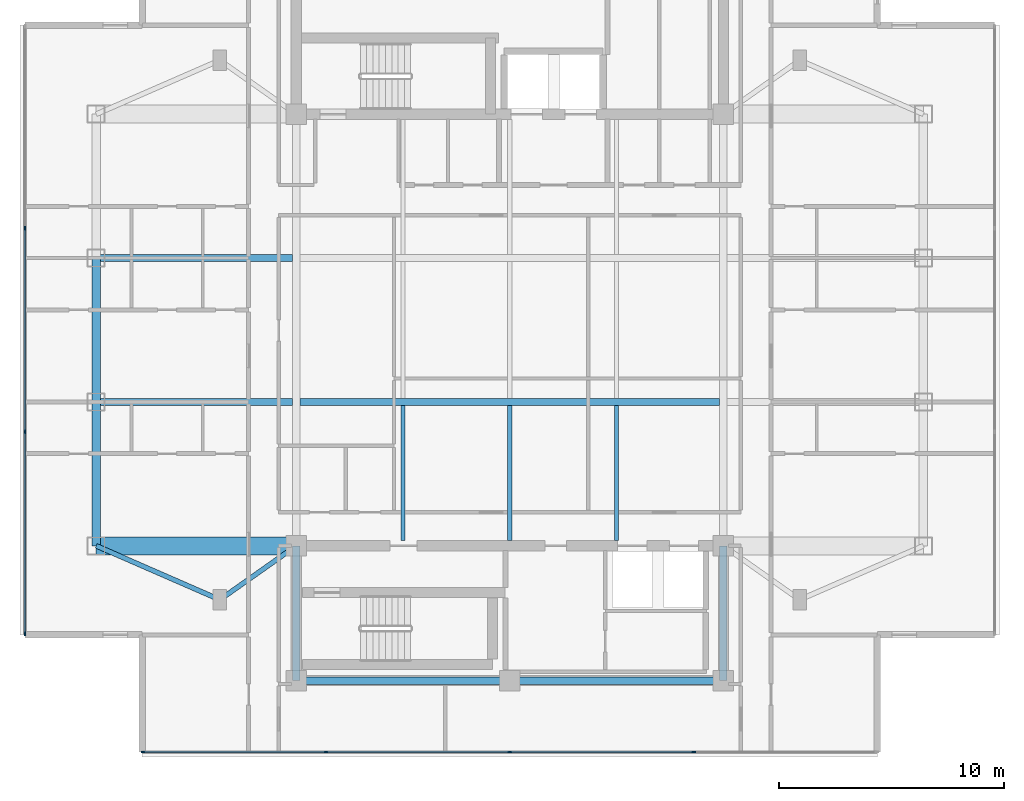
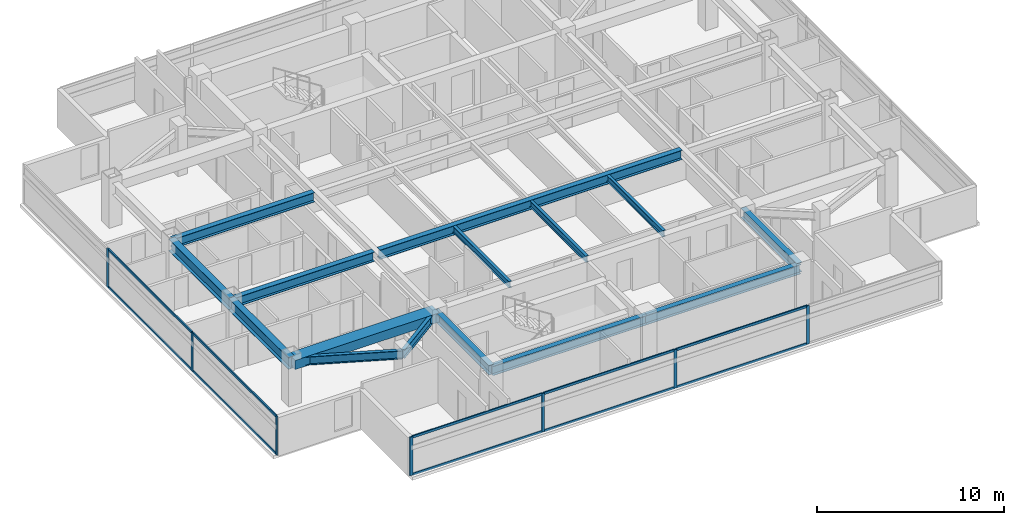
# One storey, part 2 of 17: 17 members, 15 beams, 2 elements without a shape of their own.
"""IFC4 building model written with IfcOpenShell, lengths in metres."""

from ifc_helpers import new_model, si_unit, direction, frame, origin, origin_2d, place, context, subcontext, project, spatial, rectangle, i_section, extrude, material, material_profile, profile_set, type_object, element, aggregate, save


model = new_model("IFC4")

# Units and contexts
model_context = context("Model", 3, precision=1e-05, world=origin(), true_north=direction((0.0, 1.0)))
body_context = subcontext(model_context, "Body", "Model", "MODEL_VIEW")
ifc_project = project(units=[si_unit("LENGTHUNIT", "METRE"), si_unit("AREAUNIT", "SQUARE_METRE"), si_unit("VOLUMEUNIT", "CUBIC_METRE"), si_unit("PLANEANGLEUNIT", "RADIAN"), si_unit("MASSUNIT", "GRAM", prefix="KILO")], contexts=[model_context])

# Site, building, storey
site_placement = place(None, origin())
site = spatial("IfcSite", under=ifc_project, at=site_placement, CompositionType="ELEMENT")
building_placement = place(site_placement, origin())
building = spatial("IfcBuilding", under=site, at=building_placement, Name="Mirazonda Arch Towers", CompositionType="ELEMENT")
storey_placement = place(building_placement, frame((0.0, 0.0, 209.64990234375)))
storey = spatial("IfcBuildingStorey", under=building, at=storey_placement, Name="L60", CompositionType="ELEMENT", Elevation=209.64990234375)

# Beams
ifc_material_1 = material(Name="Steel ASTM A992 Grade 50", Category="steel")
ifc_material_profile_1 = material_profile(ifc_material_1, i_section(OverallWidth=0.381103515625, OverallDepth=0.77294921875, WebThickness=0.0166015625, FlangeThickness=0.027099609375, at=origin_2d()), Name="W30X173")
ifc_profile_set_1 = profile_set([ifc_material_profile_1], Name="Steel ASTM A992 Grade 50")
beam_type_1 = type_object("IfcBeamType", Name="BM-EXT-W30X173", PredefinedType="USERDEFINED", material=ifc_profile_set_1)
beam_1_placement = place(storey_placement, frame((2.10009765625, 18.39990234375, 2.503662109375), z_axis=(0.0, 1.0, 0.0), x_axis=(-1.0, 0.0, 0.0)))
element("IfcBeam", 1, at=beam_1_placement, inside=storey, type_object=beam_type_1, Name="L60 Floor Beam BMT-T1-L60-NS-W-18", ObjectType="GIRDER", PredefinedType="USERDEFINED", context=body_context, shape_type="SweptSolid", body=[
    extrude(i_section(OverallWidth=0.381103515625, OverallDepth=0.77294921875, WebThickness=0.0166015625, FlangeThickness=0.027099609375, at=origin_2d()), origin(), (0.0, 0.0, 1.0), 6.400146484375),
])
beam_2_placement = place(storey_placement, frame((2.10009765625, 24.800048828125, 2.503662109375), z_axis=(0.0, 1.0, 0.0), x_axis=(-1.0, 0.0, 0.0)))
element("IfcBeam", 2, at=beam_2_placement, inside=storey, type_object=beam_type_1, Name="L60 Floor Beam BMT-T1-L60-NS-W-24", ObjectType="GIRDER", PredefinedType="USERDEFINED", context=body_context, shape_type="SweptSolid", body=[
    extrude(i_section(OverallWidth=0.381103515625, OverallDepth=0.77294921875, WebThickness=0.0166015625, FlangeThickness=0.027099609375, at=origin_2d()), origin(), (0.0, 0.0, 1.0), 6.39990234375),
])
ifc_material_profile_2 = material_profile(ifc_material_1, i_section(OverallWidth=0.180908203125, OverallDepth=0.4169921875, WebThickness=0.010986328125, FlangeThickness=0.018310546875, at=origin_2d()), Name="W16X57")
ifc_profile_set_2 = profile_set([ifc_material_profile_2], Name="Steel ASTM A992 Grade 50")
beam_type_2 = type_object("IfcBeamType", Name="BM-INT-W16X57", PredefinedType="JOIST", material=ifc_profile_set_2)
for number, where, z_axis, x_axis, name in (
    (3, (15.75, 18.639892578125, 2.681640625), (0.0, 1.0, 0.0), (-1.0, 0.0, 0.0), "L60 Floor Beam BMT-T1-L60-J-157-18"),
    (4, (20.5, 18.639892578125, 2.681640625), (0.0, 1.0, 0.0), (-1.0, 0.0, 0.0), "L60 Floor Beam BMT-T1-L60-J-205-18"),
    (5, (25.25, 18.639892578125, 2.681640625), (0.0, 1.0, 0.0), (-1.0, 0.0, 0.0), "L60 Floor Beam BMT-T1-L60-J-252-18"),
):
    element("IfcBeam", number, at=place(storey_placement, frame(where, z_axis=z_axis, x_axis=x_axis)), inside=storey, type_object=beam_type_2, Name=name, PredefinedType="JOIST", context=body_context, shape_type="SweptSolid", body=[
        extrude(i_section(OverallWidth=0.180908203125, OverallDepth=0.4169921875, WebThickness=0.010986328125, FlangeThickness=0.018310546875, at=origin_2d()), origin(), (0.0, 0.0, 1.0), 6.001708984375),
    ])
ifc_material_profile_3 = material_profile(ifc_material_1, i_section(OverallWidth=0.214111328125, OverallDepth=0.549072265625, WebThickness=0.0146484375, FlangeThickness=0.023681640625, at=origin_2d()), Name="W21X93")
ifc_profile_set_3 = profile_set([ifc_material_profile_3], Name="Steel ASTM A992 Grade 50")
beam_type_3 = type_object("IfcBeamType", Name="BM-INT-W21X93", PredefinedType="BEAM", material=ifc_profile_set_3)
beam_3_placement = place(storey_placement, frame((7.60009765625, 16.0, 2.615478515625), z_axis=(0.816971114901, 0.576678591087, 0.0), x_axis=(-0.576678591087, 0.816971114901, 0.0)))
element("IfcBeam", 6, at=beam_3_placement, inside=storey, type_object=beam_type_3, Name="L60 Floor Beam BMT-T1-L60-PL-SW1", PredefinedType="BEAM", context=body_context, shape_type="SweptSolid", body=[
    extrude(i_section(OverallWidth=0.214111328125, OverallDepth=0.549072265625, WebThickness=0.0146484375, FlangeThickness=0.023681640625, at=origin_2d()), origin(), (0.0, 0.0, 1.0), 4.16162109375),
])
beam_4_placement = place(storey_placement, frame((7.60009765625, 16.0, 2.615478515625), z_axis=(-0.916545343703, 0.399930785183, 0.0), x_axis=(-0.399930785183, -0.916545343703, 0.0)))
element("IfcBeam", 7, at=beam_4_placement, inside=storey, type_object=beam_type_3, Name="L60 Floor Beam BMT-T1-L60-PL-SW2", PredefinedType="BEAM", context=body_context, shape_type="SweptSolid", body=[
    extrude(i_section(OverallWidth=0.214111328125, OverallDepth=0.549072265625, WebThickness=0.0146484375, FlangeThickness=0.023681640625, at=origin_2d()), origin(), (0.0, 0.0, 1.0), 6.000732421875),
])
ifc_material_profile_4 = material_profile(ifc_material_1, i_section(OverallWidth=0.324951171875, OverallDepth=0.615966796875, WebThickness=0.013916015625, FlangeThickness=0.021484375, at=origin_2d()), Name="W24X117")
ifc_profile_set_4 = profile_set([ifc_material_profile_4], Name="Steel ASTM A992 Grade 50")
beam_type_4 = type_object("IfcBeamType", Name="BM-INT-W24X117", PredefinedType="BEAM", material=ifc_profile_set_4)
beam_5_placement = place(storey_placement, frame((11.16259765625, 24.800048828125, 2.58203125), z_axis=(1.0, 0.0, 0.0), x_axis=(0.0, 1.0, 0.0)))
element("IfcBeam", 8, at=beam_5_placement, inside=storey, type_object=beam_type_4, Name="L60 Floor Beam BMT-T1-L60-GC2", PredefinedType="BEAM", context=body_context, shape_type="SweptSolid", body=[
    extrude(i_section(OverallWidth=0.324951171875, OverallDepth=0.615966796875, WebThickness=0.013916015625, FlangeThickness=0.021484375, at=origin_2d()), origin(), (0.0, 0.0, 1.0), 18.6748046875),
])
for number, where, z_axis, x_axis, name in (
    (9, (2.10009765625, 24.800048828125, 2.58203125), (1.0, 0.0, 0.0), (0.0, 1.0, 0.0), "L60 Floor Beam BMT-T1-L60-GW2"),
    (10, (2.10009765625, 31.199951171875, 2.58203125), (1.0, 0.0, 0.0), (0.0, 1.0, 0.0), "L60 Floor Beam BMT-T1-L60-GW3"),
):
    element("IfcBeam", number, at=place(storey_placement, frame(where, z_axis=z_axis, x_axis=x_axis)), inside=storey, type_object=beam_type_4, Name=name, PredefinedType="BEAM", context=body_context, shape_type="SweptSolid", body=[
        extrude(i_section(OverallWidth=0.324951171875, OverallDepth=0.615966796875, WebThickness=0.013916015625, FlangeThickness=0.021484375, at=origin_2d()), origin(), (0.0, 0.0, 1.0), 8.7373046875),
    ])
for number, where, z_axis, x_axis, name in (
    (11, (11.0, 12.39990234375, 2.58203125), (1.0, 0.0, 0.0), (0.0, 1.0, 0.0), "L60 Floor Beam BMT-T1-L60-CS1"),
    (12, (20.5, 12.39990234375, 2.58203125), (1.0, 0.0, 0.0), (0.0, 1.0, 0.0), "L60 Floor Beam BMT-T1-L60-CS2"),
):
    element("IfcBeam", number, at=place(storey_placement, frame(where, z_axis=z_axis, x_axis=x_axis)), inside=storey, type_object=beam_type_4, Name=name, PredefinedType="BEAM", context=body_context, shape_type="SweptSolid", body=[
        extrude(i_section(OverallWidth=0.324951171875, OverallDepth=0.615966796875, WebThickness=0.013916015625, FlangeThickness=0.021484375, at=origin_2d()), origin(), (0.0, 0.0, 1.0), 9.5),
    ])
for number, where, z_axis, x_axis, name in (
    (13, (11.0, 12.39990234375, 2.58203125), (0.0, 1.0, 0.0), (-1.0, 0.0, 0.0), "L60 Floor Beam BMT-T1-L60-CSW"),
    (14, (30.0, 12.39990234375, 2.58203125), (0.0, 1.0, 0.0), (-1.0, 0.0, 0.0), "L60 Floor Beam BMT-T1-L60-CSE"),
):
    element("IfcBeam", number, at=place(storey_placement, frame(where, z_axis=z_axis, x_axis=x_axis)), inside=storey, type_object=beam_type_4, Name=name, PredefinedType="BEAM", context=body_context, shape_type="SweptSolid", body=[
        extrude(i_section(OverallWidth=0.324951171875, OverallDepth=0.615966796875, WebThickness=0.013916015625, FlangeThickness=0.021484375, at=origin_2d()), origin(), (0.0, 0.0, 1.0), 6.0),
    ])
ifc_material_2 = material(Name="Concrete C60/75", Category="concrete")
ifc_material_profile_5 = material_profile(ifc_material_2, rectangle(XDim=0.800048828125, YDim=0.60009765625, at=origin_2d()), Name="RCCB800x600")
ifc_profile_set_5 = profile_set([ifc_material_profile_5], Name="Concrete C60/75")
beam_type_5 = type_object("IfcBeamType", Name="CB-INT-RCCB800x600", PredefinedType="SPANDREL", material=ifc_profile_set_5)
beam_6_placement = place(storey_placement, frame((2.10009765625, 18.39990234375, 2.590087890625), z_axis=(1.0, 0.0, 0.0), x_axis=(0.0, 1.0, 0.0)))
element("IfcBeam", 15, at=beam_6_placement, inside=storey, type_object=beam_type_5, Name="L60 Floor Beam CBC-T1-L60-SW", PredefinedType="SPANDREL", context=body_context, shape_type="SweptSolid", body=[
    extrude(rectangle(XDim=0.800048828125, YDim=0.60009765625, at=origin_2d()), origin(), (0.0, 0.0, 1.0), 8.89990234375),
])

# Curtain wall, members
ifc_material_3 = material(Name="Anodised Aluminium and Low-E Glass", Category="aluminium")
curtain_wall_type = type_object("IfcCurtainWallType", Name="CW-RES-UNIT", PredefinedType="NOTDEFINED", material=ifc_material_3)
curtain_wall_1_placement = place(storey_placement, origin())
curtain_wall_1 = element("IfcCurtainWall", 16, at=curtain_wall_1_placement, inside=storey, type_object=curtain_wall_type, Name="L60 T1 S Facade CW-L60-T1-S", PredefinedType="NOTDEFINED")
ifc_material_4 = material(Name="Anodised Aluminium Alloy", Category="aluminium")
ifc_material_profile_6 = material_profile(ifc_material_4, rectangle(XDim=0.074951171875, YDim=0.175048828125, at=origin_2d()), Name="ALU-MULL-75x175")
ifc_profile_set_6 = profile_set([ifc_material_profile_6], Name="Anodised Aluminium Alloy")
member_type_1 = type_object("IfcMemberType", Name="MULL-CW-RES-UNIT", PredefinedType="MULLION", material=ifc_profile_set_6)
member_1_placement = place(storey_placement, frame((28.677490234375, 9.22607421875, 0.0), z_axis=(0.0, 0.0, 1.0), x_axis=(0.0, -1.0, 0.0)))
member_1 = element("IfcMember", 17, at=member_1_placement, type_object=member_type_1, Name="CW-104 mullion 2", PredefinedType="MULLION", context=body_context, shape_type="SweptSolid", body=[
    extrude(rectangle(XDim=0.074951171875, YDim=0.175048828125, at=origin_2d()), origin(), (0.0, 0.0, 1.0), 2.510009765625),
])
member_2_placement = place(storey_placement, frame((20.5, 9.22607421875, 0.0), z_axis=(0.0, 0.0, 1.0), x_axis=(0.0, -1.0, 0.0)))
member_2 = element("IfcMember", 18, at=member_2_placement, type_object=member_type_1, Name="CW-104 mullion 3", PredefinedType="MULLION", context=body_context, shape_type="SweptSolid", body=[
    extrude(rectangle(XDim=0.074951171875, YDim=0.175048828125, at=origin_2d()), origin(), (0.0, 0.0, 1.0), 2.510009765625),
])
member_3_placement = place(storey_placement, frame((12.322509765625, 9.22607421875, 0.0), z_axis=(0.0, 0.0, 1.0), x_axis=(0.0, -1.0, 0.0)))
member_3 = element("IfcMember", 19, at=member_3_placement, type_object=member_type_1, Name="CW-104 mullion 4", PredefinedType="MULLION", context=body_context, shape_type="SweptSolid", body=[
    extrude(rectangle(XDim=0.074951171875, YDim=0.175048828125, at=origin_2d()), origin(), (0.0, 0.0, 1.0), 2.510009765625),
])
member_4_placement = place(storey_placement, frame((4.1826171875, 9.22607421875, 0.0), z_axis=(0.0, 0.0, 1.0), x_axis=(0.0, -1.0, 0.0)))
member_4 = element("IfcMember", 20, at=member_4_placement, type_object=member_type_1, Name="CW-104 mullion 5", PredefinedType="MULLION", context=body_context, shape_type="SweptSolid", body=[
    extrude(rectangle(XDim=0.074951171875, YDim=0.175048828125, at=origin_2d()), origin(), (0.0, 0.0, 1.0), 2.510009765625),
])

curtain_wall_2_placement = place(storey_placement, origin())
curtain_wall_2 = element("IfcCurtainWall", 21, at=curtain_wall_2_placement, inside=storey, type_object=curtain_wall_type, Name="L60 T1 W Facade CW-L60-T1-W", PredefinedType="NOTDEFINED")
member_5_placement = place(storey_placement, frame((-1.070068359375, 32.519775390625, 0.0), z_axis=(0.0, 0.0, 1.0), x_axis=(1.0, 0.0, 0.0)))
member_5 = element("IfcMember", 22, at=member_5_placement, type_object=member_type_1, Name="CW-104 mullion 2", PredefinedType="MULLION", context=body_context, shape_type="SweptSolid", body=[
    extrude(rectangle(XDim=0.074951171875, YDim=0.175048828125, at=origin_2d()), origin(), (0.0, 0.0, 1.0), 2.510009765625),
])
member_6_placement = place(storey_placement, frame((-1.070068359375, 23.480224609375, 0.0), z_axis=(0.0, 0.0, 1.0), x_axis=(1.0, 0.0, 0.0)))
member_6 = element("IfcMember", 23, at=member_6_placement, type_object=member_type_1, Name="CW-104 mullion 3", PredefinedType="MULLION", context=body_context, shape_type="SweptSolid", body=[
    extrude(rectangle(XDim=0.074951171875, YDim=0.175048828125, at=origin_2d()), origin(), (0.0, 0.0, 1.0), 2.510009765625),
])
member_7_placement = place(storey_placement, frame((-1.070068359375, 14.478515625, 0.0), z_axis=(0.0, 0.0, 1.0), x_axis=(1.0, 0.0, 0.0)))
member_7 = element("IfcMember", 24, at=member_7_placement, type_object=member_type_1, Name="CW-104 mullion 4", PredefinedType="MULLION", context=body_context, shape_type="SweptSolid", body=[
    extrude(rectangle(XDim=0.074951171875, YDim=0.175048828125, at=origin_2d()), origin(), (0.0, 0.0, 1.0), 2.510009765625),
])

# Member
ifc_material_profile_7 = material_profile(ifc_material_4, rectangle(XDim=0.074951171875, YDim=0.155029296875, at=origin_2d()), Name="ALU-TRAN-75x155")
ifc_profile_set_7 = profile_set([ifc_material_profile_7], Name="Anodised Aluminium Alloy")
member_type_2 = type_object("IfcMemberType", Name="TRAN-CW-RES-UNIT", PredefinedType="USERDEFINED", material=ifc_profile_set_7)
member_8_placement = place(storey_placement, frame((28.639892578125, 9.22607421875, 0.03759765625), z_axis=(-1.0, 0.0, 0.0), x_axis=(0.0, -1.0, 0.0)))
member_8 = element("IfcMember", 25, at=member_8_placement, type_object=member_type_2, Name="CW-104 transom 2.1", ObjectType="TRANSOM", PredefinedType="USERDEFINED", context=body_context, shape_type="SweptSolid", body=[
    extrude(rectangle(XDim=0.074951171875, YDim=0.155029296875, at=origin_2d()), origin(), (0.0, 0.0, 1.0), 8.102294921875),
])

member_9_placement = place(storey_placement, frame((28.639892578125, 9.22607421875, 2.47265625), z_axis=(-1.0, 0.0, 0.0), x_axis=(0.0, -1.0, 0.0)))
member_9 = element("IfcMember", 26, at=member_9_placement, type_object=member_type_2, Name="CW-104 transom 2.2", ObjectType="TRANSOM", PredefinedType="USERDEFINED", context=body_context, shape_type="SweptSolid", body=[
    extrude(rectangle(XDim=0.074951171875, YDim=0.155029296875, at=origin_2d()), origin(), (0.0, 0.0, 1.0), 8.102294921875),
])

member_10_placement = place(storey_placement, frame((20.46240234375, 9.22607421875, 0.03759765625), z_axis=(-1.0, 0.0, 0.0), x_axis=(0.0, -1.0, 0.0)))
member_10 = element("IfcMember", 27, at=member_10_placement, type_object=member_type_2, Name="CW-104 transom 3.1", ObjectType="TRANSOM", PredefinedType="USERDEFINED", context=body_context, shape_type="SweptSolid", body=[
    extrude(rectangle(XDim=0.074951171875, YDim=0.155029296875, at=origin_2d()), origin(), (0.0, 0.0, 1.0), 8.102294921875),
])

member_11_placement = place(storey_placement, frame((20.46240234375, 9.22607421875, 2.47265625), z_axis=(-1.0, 0.0, 0.0), x_axis=(0.0, -1.0, 0.0)))
member_11 = element("IfcMember", 28, at=member_11_placement, type_object=member_type_2, Name="CW-104 transom 3.2", ObjectType="TRANSOM", PredefinedType="USERDEFINED", context=body_context, shape_type="SweptSolid", body=[
    extrude(rectangle(XDim=0.074951171875, YDim=0.155029296875, at=origin_2d()), origin(), (0.0, 0.0, 1.0), 8.102294921875),
])

member_12_placement = place(storey_placement, frame((12.284912109375, 9.22607421875, 0.03759765625), z_axis=(-1.0, 0.0, 0.0), x_axis=(0.0, -1.0, 0.0)))
member_12 = element("IfcMember", 29, at=member_12_placement, type_object=member_type_2, Name="CW-104 transom 4.1", ObjectType="TRANSOM", PredefinedType="USERDEFINED", context=body_context, shape_type="SweptSolid", body=[
    extrude(rectangle(XDim=0.074951171875, YDim=0.155029296875, at=origin_2d()), origin(), (0.0, 0.0, 1.0), 8.06494140625),
])

member_13_placement = place(storey_placement, frame((12.284912109375, 9.22607421875, 2.47265625), z_axis=(-1.0, 0.0, 0.0), x_axis=(0.0, -1.0, 0.0)))
member_13 = element("IfcMember", 30, at=member_13_placement, type_object=member_type_2, Name="CW-104 transom 4.2", ObjectType="TRANSOM", PredefinedType="USERDEFINED", context=body_context, shape_type="SweptSolid", body=[
    extrude(rectangle(XDim=0.074951171875, YDim=0.155029296875, at=origin_2d()), origin(), (0.0, 0.0, 1.0), 8.06494140625),
])

aggregate(curtain_wall_1, [member_1, member_2, member_3, member_4, member_8, member_9, member_10, member_11, member_12, member_13])

member_14_placement = place(storey_placement, frame((-1.070068359375, 32.482177734375, 0.03759765625), z_axis=(0.0, -1.0, 0.0), x_axis=(1.0, 0.0, 0.0)))
member_14 = element("IfcMember", 31, at=member_14_placement, type_object=member_type_2, Name="CW-104 transom 2.1", ObjectType="TRANSOM", PredefinedType="USERDEFINED", context=body_context, shape_type="SweptSolid", body=[
    extrude(rectangle(XDim=0.074951171875, YDim=0.155029296875, at=origin_2d()), origin(), (0.0, 0.0, 1.0), 8.96435546875),
])

member_15_placement = place(storey_placement, frame((-1.070068359375, 32.482177734375, 2.47265625), z_axis=(0.0, -1.0, 0.0), x_axis=(1.0, 0.0, 0.0)))
member_15 = element("IfcMember", 32, at=member_15_placement, type_object=member_type_2, Name="CW-104 transom 2.2", ObjectType="TRANSOM", PredefinedType="USERDEFINED", context=body_context, shape_type="SweptSolid", body=[
    extrude(rectangle(XDim=0.074951171875, YDim=0.155029296875, at=origin_2d()), origin(), (0.0, 0.0, 1.0), 8.96435546875),
])

member_16_placement = place(storey_placement, frame((-1.070068359375, 23.44287109375, 0.03759765625), z_axis=(0.0, -1.0, 0.0), x_axis=(1.0, 0.0, 0.0)))
member_16 = element("IfcMember", 33, at=member_16_placement, type_object=member_type_2, Name="CW-104 transom 3.1", ObjectType="TRANSOM", PredefinedType="USERDEFINED", context=body_context, shape_type="SweptSolid", body=[
    extrude(rectangle(XDim=0.074951171875, YDim=0.155029296875, at=origin_2d()), origin(), (0.0, 0.0, 1.0), 8.9267578125),
])

member_17_placement = place(storey_placement, frame((-1.070068359375, 23.44287109375, 2.47265625), z_axis=(0.0, -1.0, 0.0), x_axis=(1.0, 0.0, 0.0)))
member_17 = element("IfcMember", 34, at=member_17_placement, type_object=member_type_2, Name="CW-104 transom 3.2", ObjectType="TRANSOM", PredefinedType="USERDEFINED", context=body_context, shape_type="SweptSolid", body=[
    extrude(rectangle(XDim=0.074951171875, YDim=0.155029296875, at=origin_2d()), origin(), (0.0, 0.0, 1.0), 8.9267578125),
])

aggregate(curtain_wall_2, [member_5, member_6, member_7, member_14, member_15, member_16, member_17])

save(model, "model.ifc")
